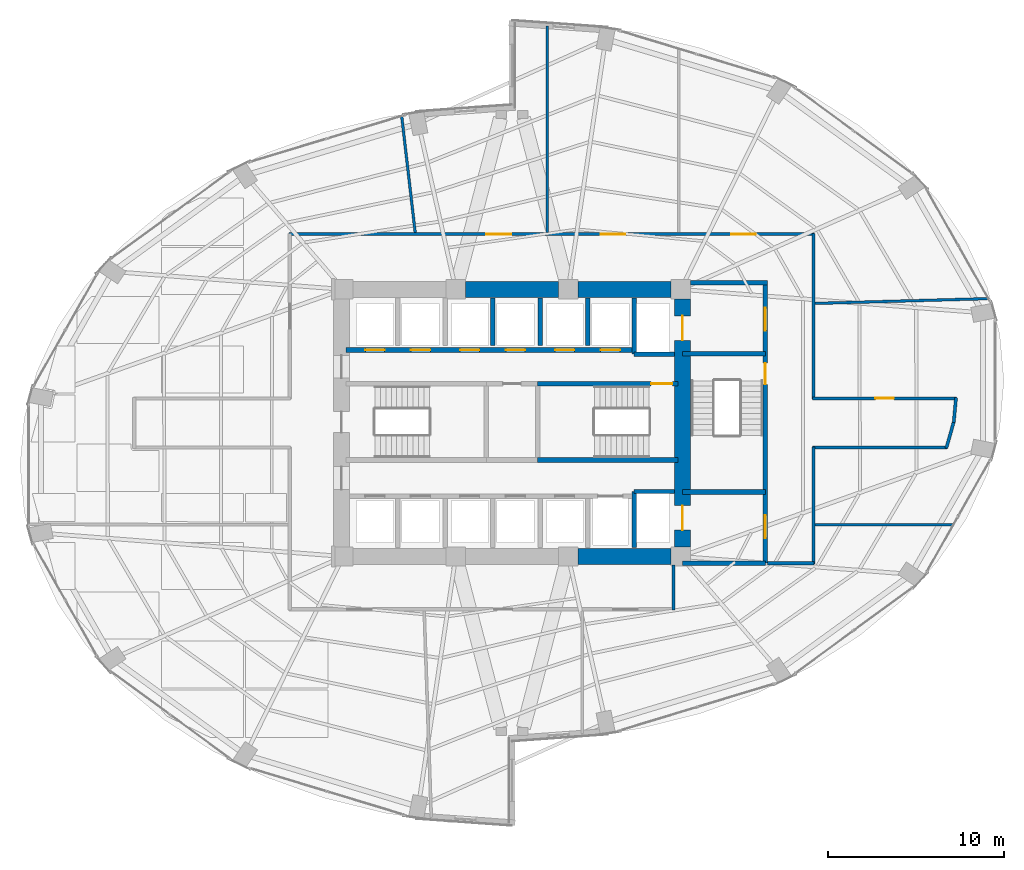
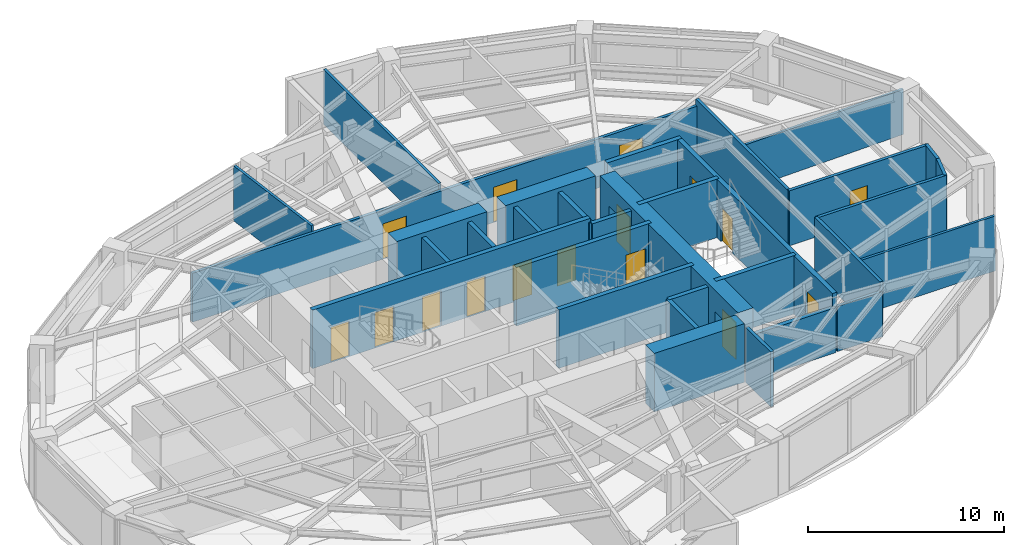
# One storey, part 21 of 24: 32 walls, 16 doors, 16 openings.
"""IFC4 building model written with IfcOpenShell, lengths in metres."""

from ifc_helpers import new_model, si_unit, direction, frame, frame_2d, origin, place, context, subcontext, project, spatial, rectangle, extrude, material, layer, layer_set, type_object, element, fill, save


model = new_model("IFC4")

# Units and contexts
model_context = context("Model", 3, precision=1e-05, world=origin(), true_north=direction((0.0, 1.0)))
body_context = subcontext(model_context, "Body", "Model", "MODEL_VIEW")
ifc_project = project(units=[si_unit("LENGTHUNIT", "METRE"), si_unit("AREAUNIT", "SQUARE_METRE"), si_unit("VOLUMEUNIT", "CUBIC_METRE"), si_unit("PLANEANGLEUNIT", "RADIAN"), si_unit("MASSUNIT", "GRAM", prefix="KILO")], contexts=[model_context])

# Site, building, storey
site_placement = place(None, origin())
site = spatial("IfcSite", under=ifc_project, at=site_placement, CompositionType="ELEMENT")
building_placement = place(site_placement, origin())
building = spatial("IfcBuilding", under=site, at=building_placement, Name="Lazwardi Medical Tower", CompositionType="ELEMENT")
storey_placement = place(building_placement, frame((0.0, 0.0, 68.97607421875)))
storey = spatial("IfcBuildingStorey", under=building, at=storey_placement, Name="L17", CompositionType="ELEMENT", Elevation=68.97607421875)

# Wall, openings, doors
ifc_material_1 = material(Name="Fire-rated gypsum board on steel stud", Category="steel")
ifc_layer_1 = layer(ifc_material_1, 0.179931640625)
ifc_layer_set_1 = layer_set([ifc_layer_1], Name="Fire-rated gypsum board on steel stud")
wall_type_1 = type_object("IfcWallType", Name="WL-COR-180", PredefinedType="PARTITIONING", material=ifc_layer_set_1)
wall_1_placement = place(storey_placement, frame((23.31005859375, 38.75, 0.0), z_axis=(0.0, 0.0, 1.0), x_axis=(1.0, 0.0, 0.0)))
wall_1 = element("IfcWall", 1, at=wall_1_placement, inside=storey, type_object=wall_type_1, Name="L17 Corridor partition 4", PredefinedType="PARTITIONING", context=body_context, shape_type="SweptSolid", body=[
    extrude(rectangle(XDim=29.8798828125, YDim=0.179931640625, at=frame_2d((14.93994140625, 0.0))), origin(), (0.0, 0.0, 1.0), 3.052978515625),
])
opening_1_placement = place(wall_1_placement, frame((25.176025390625, 0.0, 0.0)))
opening_1 = element("IfcOpeningElement", 2, at=opening_1_placement, cuts=wall_1, Name="Opening D-L17-010", PredefinedType="OPENING", context=body_context, shape_type="SweptSolid", body=[
    extrude(rectangle(XDim=1.39990234375, YDim=2.199951171875, at=frame_2d((0.699951171875, 1.10009765625))), frame((0.0, 0.099853515625, 0.0), z_axis=(0.0, -1.0, 0.0), x_axis=(1.0, 0.0, 0.0)), (0.0, 0.0, 1.0), 0.199951171875),
])
opening_2_placement = place(wall_1_placement, frame((17.739990234375, 0.0, 0.0)))
opening_2 = element("IfcOpeningElement", 3, at=opening_2_placement, cuts=wall_1, Name="Opening D-L17-011", PredefinedType="OPENING", context=body_context, shape_type="SweptSolid", body=[
    extrude(rectangle(XDim=1.39990234375, YDim=2.199951171875, at=frame_2d((0.699951171875, 1.10009765625))), frame((0.0, 0.099853515625, 0.0), z_axis=(0.0, -1.0, 0.0), x_axis=(1.0, 0.0, 0.0)), (0.0, 0.0, 1.0), 0.199951171875),
])
opening_3_placement = place(wall_1_placement, frame((11.235595703125, 0.0, 0.0)))
opening_3 = element("IfcOpeningElement", 4, at=opening_3_placement, cuts=wall_1, Name="Opening D-L17-012", PredefinedType="OPENING", context=body_context, shape_type="SweptSolid", body=[
    extrude(rectangle(XDim=1.39990234375, YDim=2.199951171875, at=frame_2d((0.699951171875, 1.10009765625))), frame((0.0, 0.099853515625, 0.0), z_axis=(0.0, -1.0, 0.0), x_axis=(1.0, 0.0, 0.0)), (0.0, 0.0, 1.0), 0.199951171875),
])
ifc_material_2 = material(Name="Anti-microbial laminate hospital leaf")
door_type_1 = type_object("IfcDoorType", Name="DR-BED-1400", OperationType="NOTDEFINED", PredefinedType="DOOR", material=ifc_material_2)
door_1_placement = place(opening_1_placement, origin())
door_1 = element("IfcDoor", 5, at=door_1_placement, inside=storey, type_object=door_type_1, Name="L17 Rehabilitation Gymnasium Door 05", OperationType="SINGLE_SWING_LEFT", OverallHeight=2.199951171875, OverallWidth=1.39990234375, PredefinedType="DOOR", context=body_context, shape_type="SweptSolid", body=[
    extrude(rectangle(XDim=1.39990234375, YDim=2.199951171875, at=frame_2d((0.699951171875, 1.10009765625))), frame((0.0, 0.02490234375, 0.0), z_axis=(0.0, -1.0, 0.0), x_axis=(1.0, 0.0, 0.0)), (0.0, 0.0, 1.0), 0.050048828125),
])
fill(opening_1, door_1)
door_2_placement = place(opening_2_placement, origin())
door_2 = element("IfcDoor", 6, at=door_2_placement, inside=storey, type_object=door_type_1, Name="L17 Rehabilitation Gymnasium Door 06", OperationType="SINGLE_SWING_RIGHT", OverallHeight=2.199951171875, OverallWidth=1.39990234375, PredefinedType="DOOR", context=body_context, shape_type="SweptSolid", body=[
    extrude(rectangle(XDim=1.39990234375, YDim=2.199951171875, at=frame_2d((0.699951171875, 1.10009765625))), frame((0.0, 0.02490234375, 0.0), z_axis=(0.0, -1.0, 0.0), x_axis=(1.0, 0.0, 0.0)), (0.0, 0.0, 1.0), 0.050048828125),
])
fill(opening_2, door_2)
door_3_placement = place(opening_3_placement, origin())
door_3 = element("IfcDoor", 7, at=door_3_placement, inside=storey, type_object=door_type_1, Name="L17 Rehabilitation Gymnasium Door 07", OperationType="SINGLE_SWING_LEFT", OverallHeight=2.199951171875, OverallWidth=1.39990234375, PredefinedType="DOOR", context=body_context, shape_type="SweptSolid", body=[
    extrude(rectangle(XDim=1.39990234375, YDim=2.199951171875, at=frame_2d((0.699951171875, 1.10009765625))), frame((0.0, 0.02490234375, 0.0), z_axis=(0.0, -1.0, 0.0), x_axis=(1.0, 0.0, 0.0)), (0.0, 0.0, 1.0), 0.050048828125),
])
fill(opening_3, door_3)

# Wall
wall_2_placement = place(storey_placement, frame((53.14990234375, 38.7900390625, 0.0), z_axis=(0.0, 0.0, 1.0), x_axis=(0.0, -1.0, 0.0)))
element("IfcWall", 8, at=wall_2_placement, inside=storey, type_object=wall_type_1, Name="L17 Corridor partition 5", PredefinedType="PARTITIONING", context=body_context, shape_type="SweptSolid", body=[
    extrude(rectangle(XDim=9.429931640625, YDim=0.179931640625, at=frame_2d((4.71484375, 0.0))), origin(), (0.0, 0.0, 1.0), 3.427978515625),
])

# Wall, opening, door
wall_3_placement = place(storey_placement, frame((53.110107421875, 29.39990234375, 0.0), z_axis=(0.0, 0.0, 1.0), x_axis=(1.0, 0.0, 0.0)))
wall_3 = element("IfcWall", 9, at=wall_3_placement, inside=storey, type_object=wall_type_1, Name="L17 Corridor partition 6", PredefinedType="PARTITIONING", context=body_context, shape_type="SweptSolid", body=[
    extrude(rectangle(XDim=8.19677734375, YDim=0.179931640625, at=frame_2d((4.098388671875, 0.0))), origin(), (0.0, 0.0, 1.0), 3.427978515625),
])
opening_4_placement = place(wall_3_placement, frame((3.573486328125, 0.0, 0.0)))
opening_4 = element("IfcOpeningElement", 10, at=opening_4_placement, cuts=wall_3, Name="Opening D-L17-009", PredefinedType="OPENING", context=body_context, shape_type="SweptSolid", body=[
    extrude(rectangle(XDim=1.050048828125, YDim=2.14990234375, at=frame_2d((0.52490234375, 1.074951171875))), frame((0.0, 0.099853515625, 0.0), z_axis=(0.0, -1.0, 0.0), x_axis=(1.0, 0.0, 0.0)), (0.0, 0.0, 1.0), 0.199951171875),
])
door_type_2 = type_object("IfcDoorType", Name="DR-CLN-1050", OperationType="NOTDEFINED", PredefinedType="DOOR", material=ifc_material_2)
door_4_placement = place(opening_4_placement, origin())
door_4 = element("IfcDoor", 11, at=door_4_placement, inside=storey, type_object=door_type_2, Name="L17 Ward Dietetic Pantry Door 04", OperationType="SINGLE_SWING_RIGHT", OverallHeight=2.14990234375, OverallWidth=1.050048828125, PredefinedType="DOOR", context=body_context, shape_type="SweptSolid", body=[
    extrude(rectangle(XDim=1.050048828125, YDim=2.14990234375, at=frame_2d((0.52490234375, 1.074951171875))), frame((0.0, 0.02490234375, 0.0), z_axis=(0.0, -1.0, 0.0), x_axis=(1.0, 0.0, 0.0)), (0.0, 0.0, 1.0), 0.050048828125),
])
fill(opening_4, door_4)

# Walls
wall_4_placement = place(storey_placement, frame((61.2705078125, 29.439697265625, 0.0), z_axis=(0.0, 0.0, 1.0), x_axis=(-0.092539930621, -0.995708974169, 0.0)))
element("IfcWall", 12, at=wall_4_placement, inside=storey, type_object=wall_type_1, Name="L17 Corridor partition 7", PredefinedType="PARTITIONING", context=body_context, shape_type="SweptSolid", body=[
    extrude(rectangle(XDim=1.416748046875, YDim=0.179931640625, at=frame_2d((0.70849609375, 0.0))), origin(), (0.0, 0.0, 1.0), 3.427978515625),
])
wall_5_placement = place(storey_placement, frame((61.15380859375, 28.107421875, 0.0), z_axis=(0.0, 0.0, 1.0), x_axis=(-0.271748942561, -0.962368179138, 0.0)))
element("IfcWall", 13, at=wall_5_placement, inside=storey, type_object=wall_type_1, Name="L17 Corridor partition 8", PredefinedType="PARTITIONING", context=body_context, shape_type="SweptSolid", body=[
    extrude(rectangle(XDim=1.6064453125, YDim=0.179931640625, at=frame_2d((0.80322265625, 0.0))), origin(), (0.0, 0.0, 1.0), 3.427978515625),
])
wall_6_placement = place(storey_placement, frame((60.768310546875, 26.60009765625, 0.0), z_axis=(0.0, 0.0, 1.0), x_axis=(-1.0, 0.0, 0.0)))
element("IfcWall", 14, at=wall_6_placement, inside=storey, type_object=wall_type_1, Name="L17 Corridor partition 9", PredefinedType="PARTITIONING", context=body_context, shape_type="SweptSolid", body=[
    extrude(rectangle(XDim=7.658203125, YDim=0.179931640625, at=frame_2d((3.8291015625, 0.0))), origin(), (0.0, 0.0, 1.0), 3.427978515625),
])
wall_7_placement = place(storey_placement, frame((53.14990234375, 26.639892578125, 0.0), z_axis=(0.0, 0.0, 1.0), x_axis=(0.0, -1.0, 0.0)))
element("IfcWall", 15, at=wall_7_placement, inside=storey, type_object=wall_type_1, Name="L17 Corridor partition 10", PredefinedType="PARTITIONING", context=body_context, shape_type="SweptSolid", body=[
    extrude(rectangle(XDim=6.659912109375, YDim=0.179931640625, at=frame_2d((3.330078125, 0.0))), origin(), (0.0, 0.0, 1.0), 3.427978515625),
])
wall_8_placement = place(storey_placement, frame((53.18994140625, 20.02001953125, 0.0), z_axis=(0.0, 0.0, 1.0), x_axis=(-1.0, 0.0, 0.0)))
element("IfcWall", 16, at=wall_8_placement, inside=storey, type_object=wall_type_1, Name="L17 Corridor partition 11", PredefinedType="PARTITIONING", context=body_context, shape_type="SweptSolid", body=[
    extrude(rectangle(XDim=2.64990234375, YDim=0.179931640625, at=frame_2d((1.324951171875, 0.0))), origin(), (0.0, 0.0, 1.0), 2.81298828125),
])
wall_9_placement = place(storey_placement, frame((45.199951171875, 19.909912109375, 0.0), z_axis=(0.0, 0.0, 1.0), x_axis=(0.0, -1.0, 0.0)))
element("IfcWall", 17, at=wall_9_placement, inside=storey, type_object=wall_type_1, Name="L17 Corridor partition 14", PredefinedType="PARTITIONING", context=body_context, shape_type="SweptSolid", body=[
    extrude(rectangle(XDim=2.5498046875, YDim=0.179931640625, at=frame_2d((1.27490234375, 0.0))), origin(), (0.0, 0.0, 1.0), 3.427978515625),
])

# Wall, openings, doors
ifc_material_3 = material(Name="Concrete C80/95", Category="concrete")
ifc_layer_2 = layer(ifc_material_3, 0.89990234375)
ifc_layer_set_2 = layer_set([ifc_layer_2], Name="Concrete C80/95")
wall_type_2 = type_object("IfcWallType", Name="WL-CORE-900", PredefinedType="SHEAR", material=ifc_layer_set_2)
wall_10_placement = place(storey_placement, frame((45.699951171875, 20.949951171875, 0.0), z_axis=(0.0, 0.0, 1.0), x_axis=(0.0, 1.0, 0.0)))
wall_10 = element("IfcWall", 18, at=wall_10_placement, inside=storey, type_object=wall_type_2, Name="Core wall CW-S1 east L17", PredefinedType="SHEAR", context=body_context, shape_type="SweptSolid", body=[
    extrude(rectangle(XDim=14.10009765625, YDim=0.89990234375, at=frame_2d((7.050048828125, 0.0))), origin(), (0.0, 0.0, 1.0), 3.64794921875),
])
opening_5_placement = place(wall_10_placement, frame((11.75, 0.0, 0.0)))
opening_5 = element("IfcOpeningElement", 19, at=opening_5_placement, cuts=wall_10, Name="Opening LD-L17-001", PredefinedType="OPENING", context=body_context, shape_type="SweptSolid", body=[
    extrude(rectangle(XDim=1.39990234375, YDim=2.300048828125, at=frame_2d((0.699951171875, 1.14990234375))), frame((0.0, 0.4599609375, 0.0), z_axis=(0.0, -1.0, 0.0), x_axis=(1.0, 0.0, 0.0)), (0.0, 0.0, 1.0), 0.919921875),
])
opening_6_placement = place(wall_10_placement, frame((0.949951171875, 0.0, 0.0)))
opening_6 = element("IfcOpeningElement", 20, at=opening_6_placement, cuts=wall_10, Name="Opening LD-L17-002", PredefinedType="OPENING", context=body_context, shape_type="SweptSolid", body=[
    extrude(rectangle(XDim=1.39990234375, YDim=2.300048828125, at=frame_2d((0.699951171875, 1.14990234375))), frame((0.0, 0.4599609375, 0.0), z_axis=(0.0, -1.0, 0.0), x_axis=(1.0, 0.0, 0.0)), (0.0, 0.0, 1.0), 0.919921875),
])
ifc_material_4 = material(Name="Brushed stainless steel bed-lift landing door", Category="steel")
door_type_3 = type_object("IfcDoorType", Name="DR-LFT-1400", OperationType="NOTDEFINED", PredefinedType="DOOR", material=ifc_material_4)
door_5_placement = place(opening_5_placement, origin())
door_5 = element("IfcDoor", 21, at=door_5_placement, inside=storey, type_object=door_type_3, Name="L17 Lift Landing Door FL-01", OperationType="SLIDING_TO_LEFT", OverallHeight=2.300048828125, OverallWidth=1.39990234375, PredefinedType="DOOR", context=body_context, shape_type="SweptSolid", body=[
    extrude(rectangle(XDim=1.39990234375, YDim=2.300048828125, at=frame_2d((0.699951171875, 1.14990234375))), frame((0.0, 0.02490234375, 0.0), z_axis=(0.0, -1.0, 0.0), x_axis=(1.0, 0.0, 0.0)), (0.0, 0.0, 1.0), 0.050048828125),
])
fill(opening_5, door_5)
door_6_placement = place(opening_6_placement, origin())
door_6 = element("IfcDoor", 22, at=door_6_placement, inside=storey, type_object=door_type_3, Name="L17 Lift Landing Door FL-02", OperationType="SLIDING_TO_LEFT", OverallHeight=2.300048828125, OverallWidth=1.39990234375, PredefinedType="DOOR", context=body_context, shape_type="SweptSolid", body=[
    extrude(rectangle(XDim=1.39990234375, YDim=2.300048828125, at=frame_2d((0.699951171875, 1.14990234375))), frame((0.0, 0.02490234375, 0.0), z_axis=(0.0, -1.0, 0.0), x_axis=(1.0, 0.0, 0.0)), (0.0, 0.0, 1.0), 0.050048828125),
])
fill(opening_6, door_6)

# Walls
wall_11_placement = place(storey_placement, frame((33.35009765625, 35.60009765625, 0.0), z_axis=(0.0, 0.0, 1.0), x_axis=(1.0, 0.0, 0.0)))
element("IfcWall", 23, at=wall_11_placement, inside=storey, type_object=wall_type_2, Name="Core wall CW-S1 N2 L17", PredefinedType="SHEAR", context=body_context, shape_type="SweptSolid", body=[
    extrude(rectangle(XDim=5.2998046875, YDim=0.89990234375, at=frame_2d((2.64990234375, 0.0))), origin(), (0.0, 0.0, 1.0), 3.64794921875),
])
for number, where, z_axis, x_axis, name in (
    (24, (39.75, 20.39990234375, 0.0), (0.0, 0.0, 1.0), (1.0, 0.0, 0.0), "Core wall CW-S1 S3 L17"),
    (25, (39.75, 35.60009765625, 0.0), (0.0, 0.0, 1.0), (1.0, 0.0, 0.0), "Core wall CW-S1 N3 L17"),
):
    element("IfcWall", number, at=place(storey_placement, frame(where, z_axis=z_axis, x_axis=x_axis)), inside=storey, type_object=wall_type_2, Name=name, PredefinedType="SHEAR", context=body_context, shape_type="SweptSolid", body=[
        extrude(rectangle(XDim=5.300048828125, YDim=0.89990234375, at=frame_2d((2.64990234375, 0.0))), origin(), (0.0, 0.0, 1.0), 3.64794921875),
    ])
ifc_material_5 = material(Name="Autoclaved aerated concrete blockwork", Category="masonry")
ifc_layer_3 = layer(ifc_material_5, 0.25)
ifc_layer_set_3 = layer_set([ifc_layer_3], Name="Autoclaved aerated concrete blockwork")
wall_type_3 = type_object("IfcWallType", Name="WL-SHAFT-250", PredefinedType="SOLIDWALL", material=ifc_layer_set_3)
wall_12_placement = place(storey_placement, frame((42.949951171875, 31.919921875, 0.0), z_axis=(0.0, 0.0, 1.0), x_axis=(0.0, 1.0, 0.0)))
element("IfcWall", 26, at=wall_12_placement, inside=storey, type_object=wall_type_3, Name="L17 FL-01 West shaft wall", PredefinedType="SOLIDWALL", context=body_context, shape_type="SweptSolid", body=[
    extrude(rectangle(XDim=3.18017578125, YDim=0.25, at=frame_2d((1.590087890625, 0.0))), origin(), (0.0, 0.0, 1.0), 3.427978515625),
])
wall_13_placement = place(storey_placement, frame((42.949951171875, 31.919921875, 0.0), z_axis=(0.0, 0.0, 1.0), x_axis=(1.0, 0.0, 0.0)))
element("IfcWall", 27, at=wall_13_placement, inside=storey, type_object=wall_type_3, Name="L17 FL-01 South shaft wall", PredefinedType="SOLIDWALL", context=body_context, shape_type="SweptSolid", body=[
    extrude(rectangle(XDim=2.300048828125, YDim=0.25, at=frame_2d((1.14990234375, 0.0))), origin(), (0.0, 0.0, 1.0), 3.427978515625),
])
wall_14_placement = place(storey_placement, frame((42.949951171875, 20.89990234375, 0.0), z_axis=(0.0, 0.0, 1.0), x_axis=(0.0, 1.0, 0.0)))
element("IfcWall", 28, at=wall_14_placement, inside=storey, type_object=wall_type_3, Name="L17 FL-02 West shaft wall", PredefinedType="SOLIDWALL", context=body_context, shape_type="SweptSolid", body=[
    extrude(rectangle(XDim=3.2001953125, YDim=0.25, at=frame_2d((1.60009765625, 0.0))), origin(), (0.0, 0.0, 1.0), 3.427978515625),
])
wall_15_placement = place(storey_placement, frame((42.949951171875, 24.10009765625, 0.0), z_axis=(0.0, 0.0, 1.0), x_axis=(1.0, 0.0, 0.0)))
element("IfcWall", 29, at=wall_15_placement, inside=storey, type_object=wall_type_3, Name="L17 FL-02 North shaft wall", PredefinedType="SOLIDWALL", context=body_context, shape_type="SweptSolid", body=[
    extrude(rectangle(XDim=2.300048828125, YDim=0.25, at=frame_2d((1.14990234375, 0.0))), origin(), (0.0, 0.0, 1.0), 3.427978515625),
])
for number, where, z_axis, x_axis, name in (
    (30, (34.89990234375, 32.419921875, 0.0), (0.0, 0.0, 1.0), (0.0, 1.0, 0.0), "L17 North hoistway divider"),
    (31, (37.60009765625, 32.419921875, 0.0), (0.0, 0.0, 1.0), (0.0, 1.0, 0.0), "L17 North hoistway divider"),
    (32, (40.300048828125, 32.419921875, 0.0), (0.0, 0.0, 1.0), (0.0, 1.0, 0.0), "L17 North hoistway divider"),
):
    element("IfcWall", number, at=place(storey_placement, frame(where, z_axis=z_axis, x_axis=x_axis)), inside=storey, type_object=wall_type_3, Name=name, PredefinedType="SOLIDWALL", context=body_context, shape_type="SweptSolid", body=[
        extrude(rectangle(XDim=2.68017578125, YDim=0.25, at=frame_2d((1.340087890625, 0.0))), origin(), (0.0, 0.0, 1.0), 3.427978515625),
    ])
wall_16_placement = place(storey_placement, frame((45.699951171875, 20.02001953125, 0.0), z_axis=(0.0, 0.0, 1.0), x_axis=(1.0, 0.0, 0.0)))
element("IfcWall", 33, at=wall_16_placement, inside=storey, type_object=wall_type_3, Name="L17 FFL-S South wall", PredefinedType="SOLIDWALL", context=body_context, shape_type="SweptSolid", body=[
    extrude(rectangle(XDim=4.715087890625, YDim=0.25, at=frame_2d((2.357421875, 0.0))), origin(), (0.0, 0.0, 1.0), 2.81298828125),
])

# Wall, opening, door
ifc_material_6 = material(Name="Concrete C50/60", Category="concrete")
ifc_layer_4 = layer(ifc_material_6, 0.27001953125)
ifc_layer_set_4 = layer_set([ifc_layer_4], Name="Concrete C50/60")
wall_type_4 = type_object("IfcWallType", Name="WL-STR-250", PredefinedType="SHEAR", material=ifc_layer_set_4)
wall_17_placement = place(storey_placement, frame((37.465087890625, 30.235107421875, 0.0), z_axis=(0.0, 0.0, 1.0), x_axis=(1.0, 0.0, 0.0)))
wall_17 = element("IfcWall", 34, at=wall_17_placement, inside=storey, type_object=wall_type_4, Name="L17 ST2 North shear shaft wall SW-S1", PredefinedType="SHEAR", context=body_context, shape_type="SweptSolid", body=[
    extrude(rectangle(XDim=7.98486328125, YDim=0.27001953125, at=frame_2d((3.992431640625, 0.0))), origin(), (0.0, 0.0, 1.0), 3.64794921875),
])
opening_7_placement = place(wall_17_placement, frame((6.455078125, 0.0, 0.0)))
opening_7 = element("IfcOpeningElement", 35, at=opening_7_placement, cuts=wall_17, Name="Opening D-L17-015", PredefinedType="OPENING", context=body_context, shape_type="SweptSolid", body=[
    extrude(rectangle(XDim=1.199951171875, YDim=2.14990234375, at=frame_2d((0.60009765625, 1.074951171875))), frame((0.0, 0.14501953125, 0.0), z_axis=(0.0, -1.0, 0.0), x_axis=(1.0, 0.0, 0.0)), (0.0, 0.0, 1.0), 0.2900390625),
])
ifc_material_7 = material(Name="Fire-rated steel leaf and frame", Category="steel")
door_type_4 = type_object("IfcDoorType", Name="DR-STR-1200", OperationType="NOTDEFINED", PredefinedType="DOOR", material=ifc_material_7)
door_7_placement = place(opening_7_placement, origin())
door_7 = element("IfcDoor", 36, at=door_7_placement, inside=storey, type_object=door_type_4, Name="L17 Exit Stair ST2 Door", OperationType="SINGLE_SWING_RIGHT", OverallHeight=2.14990234375, OverallWidth=1.199951171875, PredefinedType="DOOR", context=body_context, shape_type="SweptSolid", body=[
    extrude(rectangle(XDim=1.199951171875, YDim=2.14990234375, at=frame_2d((0.60009765625, 1.074951171875))), frame((0.0, 0.02490234375, 0.0), z_axis=(0.0, -1.0, 0.0), x_axis=(1.0, 0.0, 0.0)), (0.0, 0.0, 1.0), 0.050048828125),
])
fill(opening_7, door_7)

# Wall
wall_18_placement = place(storey_placement, frame((37.465087890625, 25.885009765625, 0.0), z_axis=(0.0, 0.0, 1.0), x_axis=(1.0, 0.0, 0.0)))
element("IfcWall", 37, at=wall_18_placement, inside=storey, type_object=wall_type_4, Name="L17 ST2 South shear shaft wall SW-S1", PredefinedType="SHEAR", context=body_context, shape_type="SweptSolid", body=[
    extrude(rectangle(XDim=7.98486328125, YDim=0.27001953125, at=frame_2d((3.992431640625, 0.0))), origin(), (0.0, 0.0, 1.0), 3.64794921875),
])

# Wall, openings, doors
wall_19_placement = place(storey_placement, frame((26.550048828125, 32.14990234375, 0.0), z_axis=(0.0, 0.0, 1.0), x_axis=(1.0, 0.0, 0.0)))
wall_19 = element("IfcWall", 38, at=wall_19_placement, inside=storey, type_object=wall_type_4, Name="L17 North lift bank shear wall SW-S1", PredefinedType="SHEAR", context=body_context, shape_type="SweptSolid", body=[
    extrude(rectangle(XDim=16.39990234375, YDim=0.27001953125, at=frame_2d((8.199951171875, 0.0))), origin(), (0.0, 0.0, 1.0), 3.64794921875),
])
opening_8_placement = place(wall_19_placement, frame((1.10009765625, 0.0, 0.0)))
opening_8 = element("IfcOpeningElement", 39, at=opening_8_placement, cuts=wall_19, Name="Opening LD-L17-004", PredefinedType="OPENING", context=body_context, shape_type="SweptSolid", body=[
    extrude(rectangle(XDim=1.10009765625, YDim=2.199951171875, at=frame_2d((0.550048828125, 1.10009765625))), frame((0.0, 0.14501953125, 0.0), z_axis=(0.0, -1.0, 0.0), x_axis=(1.0, 0.0, 0.0)), (0.0, 0.0, 1.0), 0.2900390625),
])
opening_9_placement = place(wall_19_placement, frame((3.699951171875, 0.0, 0.0)))
opening_9 = element("IfcOpeningElement", 40, at=opening_9_placement, cuts=wall_19, Name="Opening LD-L17-005", PredefinedType="OPENING", context=body_context, shape_type="SweptSolid", body=[
    extrude(rectangle(XDim=1.10009765625, YDim=2.199951171875, at=frame_2d((0.550048828125, 1.10009765625))), frame((0.0, 0.14501953125, 0.0), z_axis=(0.0, -1.0, 0.0), x_axis=(1.0, 0.0, 0.0)), (0.0, 0.0, 1.0), 0.2900390625),
])
opening_10_placement = place(wall_19_placement, frame((6.5, 0.0, 0.0)))
opening_10 = element("IfcOpeningElement", 41, at=opening_10_placement, cuts=wall_19, Name="Opening LD-L17-008", PredefinedType="OPENING", context=body_context, shape_type="SweptSolid", body=[
    extrude(rectangle(XDim=1.10009765625, YDim=2.199951171875, at=frame_2d((0.550048828125, 1.10009765625))), frame((0.0, 0.14501953125, 0.0), z_axis=(0.0, -1.0, 0.0), x_axis=(1.0, 0.0, 0.0)), (0.0, 0.0, 1.0), 0.2900390625),
])
opening_11_placement = place(wall_19_placement, frame((9.10009765625, 0.0, 0.0)))
opening_11 = element("IfcOpeningElement", 42, at=opening_11_placement, cuts=wall_19, Name="Opening LD-L17-009", PredefinedType="OPENING", context=body_context, shape_type="SweptSolid", body=[
    extrude(rectangle(XDim=1.10009765625, YDim=2.199951171875, at=frame_2d((0.550048828125, 1.10009765625))), frame((0.0, 0.14501953125, 0.0), z_axis=(0.0, -1.0, 0.0), x_axis=(1.0, 0.0, 0.0)), (0.0, 0.0, 1.0), 0.2900390625),
])
opening_12_placement = place(wall_19_placement, frame((11.89990234375, 0.0, 0.0)))
opening_12 = element("IfcOpeningElement", 43, at=opening_12_placement, cuts=wall_19, Name="Opening LD-L17-012", PredefinedType="OPENING", context=body_context, shape_type="SweptSolid", body=[
    extrude(rectangle(XDim=1.10009765625, YDim=2.199951171875, at=frame_2d((0.550048828125, 1.10009765625))), frame((0.0, 0.14501953125, 0.0), z_axis=(0.0, -1.0, 0.0), x_axis=(1.0, 0.0, 0.0)), (0.0, 0.0, 1.0), 0.2900390625),
])
opening_13_placement = place(wall_19_placement, frame((14.5, 0.0, 0.0)))
opening_13 = element("IfcOpeningElement", 44, at=opening_13_placement, cuts=wall_19, Name="Opening LD-L17-013", PredefinedType="OPENING", context=body_context, shape_type="SweptSolid", body=[
    extrude(rectangle(XDim=1.10009765625, YDim=2.199951171875, at=frame_2d((0.550048828125, 1.10009765625))), frame((0.0, 0.14501953125, 0.0), z_axis=(0.0, -1.0, 0.0), x_axis=(1.0, 0.0, 0.0)), (0.0, 0.0, 1.0), 0.2900390625),
])
ifc_material_8 = material(Name="Brushed bronze stainless steel landing door", Category="steel")
door_type_5 = type_object("IfcDoorType", Name="DR-LFT-1100", OperationType="NOTDEFINED", PredefinedType="DOOR", material=ifc_material_8)
door_8_placement = place(opening_8_placement, origin())
door_8 = element("IfcDoor", 45, at=door_8_placement, inside=storey, type_object=door_type_5, Name="L17 Lift Landing Door PL-01", OperationType="SLIDING_TO_LEFT", OverallHeight=2.199951171875, OverallWidth=1.10009765625, PredefinedType="DOOR", context=body_context, shape_type="SweptSolid", body=[
    extrude(rectangle(XDim=1.10009765625, YDim=2.199951171875, at=frame_2d((0.550048828125, 1.10009765625))), frame((0.0, 0.02490234375, 0.0), z_axis=(0.0, -1.0, 0.0), x_axis=(1.0, 0.0, 0.0)), (0.0, 0.0, 1.0), 0.050048828125),
])
fill(opening_8, door_8)
door_9_placement = place(opening_9_placement, origin())
door_9 = element("IfcDoor", 46, at=door_9_placement, inside=storey, type_object=door_type_5, Name="L17 Lift Landing Door PL-02", OperationType="SLIDING_TO_LEFT", OverallHeight=2.199951171875, OverallWidth=1.10009765625, PredefinedType="DOOR", context=body_context, shape_type="SweptSolid", body=[
    extrude(rectangle(XDim=1.10009765625, YDim=2.199951171875, at=frame_2d((0.550048828125, 1.10009765625))), frame((0.0, 0.02490234375, 0.0), z_axis=(0.0, -1.0, 0.0), x_axis=(1.0, 0.0, 0.0)), (0.0, 0.0, 1.0), 0.050048828125),
])
fill(opening_9, door_9)
door_10_placement = place(opening_10_placement, origin())
door_10 = element("IfcDoor", 47, at=door_10_placement, inside=storey, type_object=door_type_5, Name="L17 Lift Landing Door PL-05", OperationType="SLIDING_TO_LEFT", OverallHeight=2.199951171875, OverallWidth=1.10009765625, PredefinedType="DOOR", context=body_context, shape_type="SweptSolid", body=[
    extrude(rectangle(XDim=1.10009765625, YDim=2.199951171875, at=frame_2d((0.550048828125, 1.10009765625))), frame((0.0, 0.02490234375, 0.0), z_axis=(0.0, -1.0, 0.0), x_axis=(1.0, 0.0, 0.0)), (0.0, 0.0, 1.0), 0.050048828125),
])
fill(opening_10, door_10)
door_11_placement = place(opening_11_placement, origin())
door_11 = element("IfcDoor", 48, at=door_11_placement, inside=storey, type_object=door_type_5, Name="L17 Lift Landing Door PL-06", OperationType="SLIDING_TO_LEFT", OverallHeight=2.199951171875, OverallWidth=1.10009765625, PredefinedType="DOOR", context=body_context, shape_type="SweptSolid", body=[
    extrude(rectangle(XDim=1.10009765625, YDim=2.199951171875, at=frame_2d((0.550048828125, 1.10009765625))), frame((0.0, 0.02490234375, 0.0), z_axis=(0.0, -1.0, 0.0), x_axis=(1.0, 0.0, 0.0)), (0.0, 0.0, 1.0), 0.050048828125),
])
fill(opening_11, door_11)
door_12_placement = place(opening_12_placement, origin())
door_12 = element("IfcDoor", 49, at=door_12_placement, inside=storey, type_object=door_type_5, Name="L17 Lift Landing Door PL-09", OperationType="SLIDING_TO_LEFT", OverallHeight=2.199951171875, OverallWidth=1.10009765625, PredefinedType="DOOR", context=body_context, shape_type="SweptSolid", body=[
    extrude(rectangle(XDim=1.10009765625, YDim=2.199951171875, at=frame_2d((0.550048828125, 1.10009765625))), frame((0.0, 0.02490234375, 0.0), z_axis=(0.0, -1.0, 0.0), x_axis=(1.0, 0.0, 0.0)), (0.0, 0.0, 1.0), 0.050048828125),
])
fill(opening_12, door_12)
door_13_placement = place(opening_13_placement, origin())
door_13 = element("IfcDoor", 50, at=door_13_placement, inside=storey, type_object=door_type_5, Name="L17 Lift Landing Door PL-10", OperationType="SLIDING_TO_LEFT", OverallHeight=2.199951171875, OverallWidth=1.10009765625, PredefinedType="DOOR", context=body_context, shape_type="SweptSolid", body=[
    extrude(rectangle(XDim=1.10009765625, YDim=2.199951171875, at=frame_2d((0.550048828125, 1.10009765625))), frame((0.0, 0.02490234375, 0.0), z_axis=(0.0, -1.0, 0.0), x_axis=(1.0, 0.0, 0.0)), (0.0, 0.0, 1.0), 0.050048828125),
])
fill(opening_13, door_13)

wall_20_placement = place(storey_placement, frame((50.4150390625, 35.844970703125, 0.0), z_axis=(0.0, 0.0, 1.0), x_axis=(0.0, -1.0, 0.0)))
wall_20 = element("IfcWall", 51, at=wall_20_placement, inside=storey, type_object=wall_type_4, Name="L17 East ST3 & FFL shear wall SW-S1", PredefinedType="SHEAR", context=body_context, shape_type="SweptSolid", body=[
    extrude(rectangle(XDim=15.824951171875, YDim=0.27001953125, at=frame_2d((7.91259765625, 0.0))), origin(), (0.0, 0.0, 1.0), 3.64794921875),
])
opening_14_placement = place(wall_20_placement, frame((4.445068359375, 0.0, 0.0)))
opening_14 = element("IfcOpeningElement", 52, at=opening_14_placement, cuts=wall_20, Name="Opening D-L17-016", PredefinedType="OPENING", context=body_context, shape_type="SweptSolid", body=[
    extrude(rectangle(XDim=1.199951171875, YDim=2.14990234375, at=frame_2d((0.60009765625, 1.074951171875))), frame((0.0, 0.14501953125, 0.0), z_axis=(0.0, -1.0, 0.0), x_axis=(1.0, 0.0, 0.0)), (0.0, 0.0, 1.0), 0.2900390625),
])
opening_15_placement = place(wall_20_placement, frame((1.294921875, 0.0, 0.0)))
opening_15 = element("IfcOpeningElement", 53, at=opening_15_placement, cuts=wall_20, Name="Opening D-L17-002", PredefinedType="OPENING", context=body_context, shape_type="SweptSolid", body=[
    extrude(rectangle(XDim=1.300048828125, YDim=2.199951171875, at=frame_2d((0.64990234375, 1.10009765625))), frame((0.0, 0.14501953125, 0.0), z_axis=(0.0, -1.0, 0.0), x_axis=(1.0, 0.0, 0.0)), (0.0, 0.0, 1.0), 0.2900390625),
])
opening_16_placement = place(wall_20_placement, frame((13.094970703125, 0.0, 0.0)))
opening_16 = element("IfcOpeningElement", 54, at=opening_16_placement, cuts=wall_20, Name="Opening D-L17-003", PredefinedType="OPENING", context=body_context, shape_type="SweptSolid", body=[
    extrude(rectangle(XDim=1.300048828125, YDim=2.199951171875, at=frame_2d((0.64990234375, 1.10009765625))), frame((0.0, 0.14501953125, 0.0), z_axis=(0.0, -1.0, 0.0), x_axis=(1.0, 0.0, 0.0)), (0.0, 0.0, 1.0), 0.2900390625),
])
door_type_6 = type_object("IfcDoorType", Name="DR-FFL-1300", OperationType="NOTDEFINED", PredefinedType="DOOR", material=ifc_material_7)
door_14_placement = place(opening_15_placement, origin())
door_14 = element("IfcDoor", 55, at=door_14_placement, inside=storey, type_object=door_type_6, Name="L17 Fire-Fighting Lobby North Door", OperationType="SINGLE_SWING_LEFT", OverallHeight=2.199951171875, OverallWidth=1.300048828125, PredefinedType="DOOR", context=body_context, shape_type="SweptSolid", body=[
    extrude(rectangle(XDim=1.300048828125, YDim=2.199951171875, at=frame_2d((0.64990234375, 1.10009765625))), frame((0.0, 0.02490234375, 0.0), z_axis=(0.0, -1.0, 0.0), x_axis=(1.0, 0.0, 0.0)), (0.0, 0.0, 1.0), 0.050048828125),
])
fill(opening_15, door_14)
door_15_placement = place(opening_16_placement, origin())
door_15 = element("IfcDoor", 56, at=door_15_placement, inside=storey, type_object=door_type_6, Name="L17 Fire-Fighting Lobby South Door", OperationType="SINGLE_SWING_RIGHT", OverallHeight=2.199951171875, OverallWidth=1.300048828125, PredefinedType="DOOR", context=body_context, shape_type="SweptSolid", body=[
    extrude(rectangle(XDim=1.300048828125, YDim=2.199951171875, at=frame_2d((0.64990234375, 1.10009765625))), frame((0.0, 0.02490234375, 0.0), z_axis=(0.0, -1.0, 0.0), x_axis=(1.0, 0.0, 0.0)), (0.0, 0.0, 1.0), 0.050048828125),
])
fill(opening_16, door_15)
door_16_placement = place(opening_14_placement, origin())
door_16 = element("IfcDoor", 57, at=door_16_placement, inside=storey, type_object=door_type_4, Name="L17 Exit Stair ST3 Door", OperationType="SINGLE_SWING_RIGHT", OverallHeight=2.14990234375, OverallWidth=1.199951171875, PredefinedType="DOOR", context=body_context, shape_type="SweptSolid", body=[
    extrude(rectangle(XDim=1.199951171875, YDim=2.14990234375, at=frame_2d((0.60009765625, 1.074951171875))), frame((0.0, 0.02490234375, 0.0), z_axis=(0.0, -1.0, 0.0), x_axis=(1.0, 0.0, 0.0)), (0.0, 0.0, 1.0), 0.050048828125),
])
fill(opening_14, door_16)

# Walls
wall_21_placement = place(storey_placement, frame((46.14990234375, 35.97998046875, 0.0), z_axis=(0.0, 0.0, 1.0), x_axis=(1.0, 0.0, 0.0)))
element("IfcWall", 58, at=wall_21_placement, inside=storey, type_object=wall_type_4, Name="L17 FFL-N North shear wall SW-S1", PredefinedType="SHEAR", context=body_context, shape_type="SweptSolid", body=[
    extrude(rectangle(XDim=4.400146484375, YDim=0.27001953125, at=frame_2d((2.2001953125, 0.0))), origin(), (0.0, 0.0, 1.0), 3.64794921875),
])
for number, where, z_axis, x_axis, name in (
    (59, (45.699951171875, 31.93505859375, 0.0), (0.0, 0.0, 1.0), (1.0, 0.0, 0.0), "L17 ST3 North shear shaft wall SW-S1"),
    (60, (45.699951171875, 24.06494140625, 0.0), (0.0, 0.0, 1.0), (1.0, 0.0, 0.0), "L17 ST3 South shear shaft wall SW-S1"),
):
    element("IfcWall", number, at=place(storey_placement, frame(where, z_axis=z_axis, x_axis=x_axis)), inside=storey, type_object=wall_type_4, Name=name, PredefinedType="SHEAR", context=body_context, shape_type="SweptSolid", body=[
        extrude(rectangle(XDim=4.715087890625, YDim=0.27001953125, at=frame_2d((2.357421875, 0.0))), origin(), (0.0, 0.0, 1.0), 3.64794921875),
    ])
ifc_material_9 = material(Name="Acoustic gypsum board partition")
ifc_layer_5 = layer(ifc_material_9, 0.14990234375)
ifc_layer_set_5 = layer_set([ifc_layer_5], Name="Acoustic gypsum board partition")
wall_type_5 = type_object("IfcWallType", Name="WL-WRD-150", PredefinedType="PARTITIONING", material=ifc_layer_set_5)
wall_22_placement = place(storey_placement, frame((53.239990234375, 22.199951171875, 0.0), z_axis=(0.0, 0.0, 1.0), x_axis=(1.0, 0.0, 0.0)))
element("IfcWall", 61, at=wall_22_placement, inside=storey, type_object=wall_type_5, Name="L17 Room partition 2", PredefinedType="PARTITIONING", context=body_context, shape_type="SweptSolid", body=[
    extrude(rectangle(XDim=7.87548828125, YDim=0.14990234375, at=frame_2d((3.937744140625, 0.0))), origin(), (0.0, 0.0, 1.0), 3.427978515625),
])
wall_23_placement = place(storey_placement, frame((53.239990234375, 34.802001953125, 0.0), z_axis=(0.0, 0.0, 1.0), x_axis=(0.999620561748, 0.027545099924, 0.0)))
element("IfcWall", 62, at=wall_23_placement, inside=storey, type_object=wall_type_5, Name="L17 Room partition 3", PredefinedType="PARTITIONING", context=body_context, shape_type="SweptSolid", body=[
    extrude(rectangle(XDim=9.891357421875, YDim=0.14990234375, at=frame_2d((4.94580078125, 0.0))), origin(), (0.0, 0.0, 1.0), 2.81298828125),
])
wall_24_placement = place(storey_placement, frame((30.4912109375, 38.839599609375, 0.0), z_axis=(0.0, 0.0, 1.0), x_axis=(-0.115342161953, 0.993325820502, 0.0)))
element("IfcWall", 63, at=wall_24_placement, inside=storey, type_object=wall_type_5, Name="L17 Room partition 4", PredefinedType="PARTITIONING", context=body_context, shape_type="SweptSolid", body=[
    extrude(rectangle(XDim=6.671630859375, YDim=0.14990234375, at=frame_2d((3.3359375, 0.0))), origin(), (0.0, 0.0, 1.0), 3.427978515625),
])
wall_25_placement = place(storey_placement, frame((38.0, 38.840087890625, 0.0), z_axis=(0.0, 0.0, 1.0), x_axis=(0.0, 1.0, 0.0)))
element("IfcWall", 64, at=wall_25_placement, inside=storey, type_object=wall_type_5, Name="L17 Room partition 5", PredefinedType="PARTITIONING", context=body_context, shape_type="SweptSolid", body=[
    extrude(rectangle(XDim=11.743408203125, YDim=0.14990234375, at=frame_2d((5.87158203125, 0.0))), origin(), (0.0, 0.0, 1.0), 3.427978515625),
])

save(model, "model.ifc")
